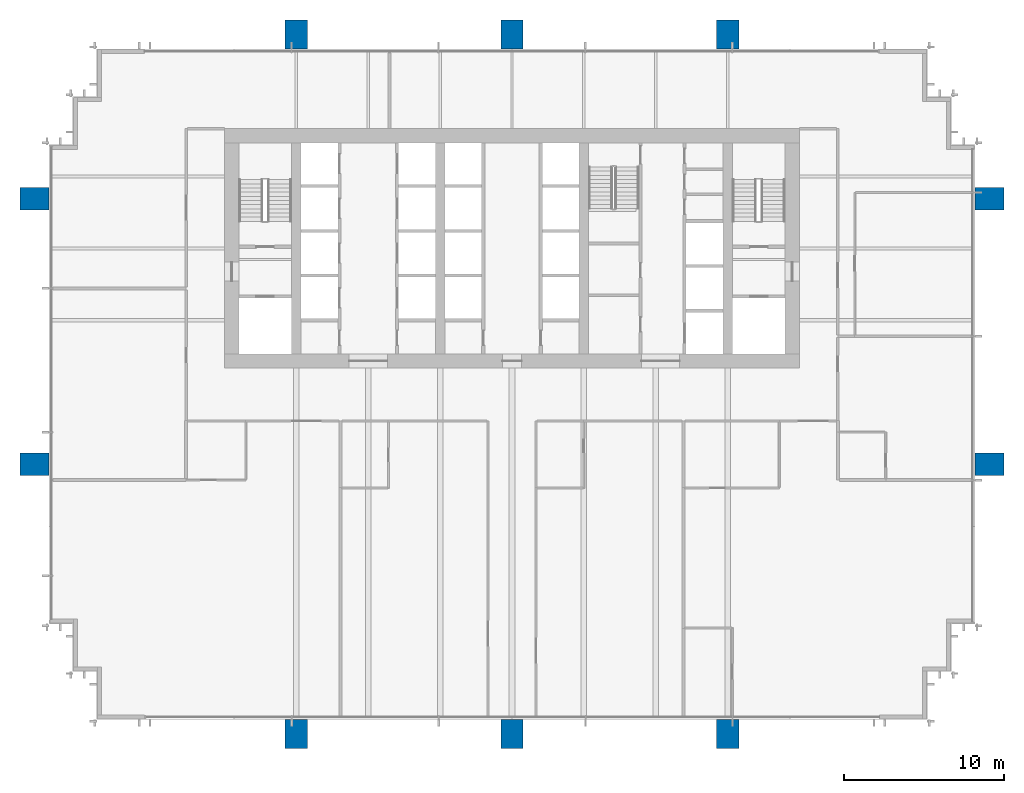
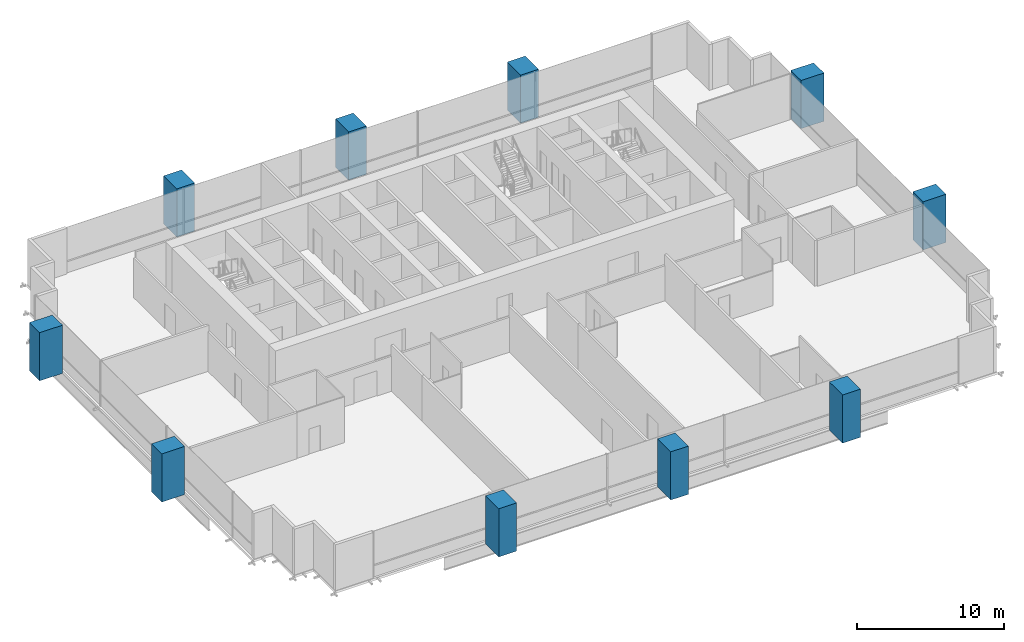
# One storey, part 1 of 14: 10 columns.
"""IFC4 building model written with IfcOpenShell, lengths in metres."""

from ifc_helpers import new_model, si_unit, direction, frame, origin, origin_2d, place, context, subcontext, project, spatial, rectangle, extrude, material, material_profile, profile_set, type_object, element, save


model = new_model("IFC4")

# Units and contexts
model_context = context("Model", 3, precision=1e-05, world=origin(), true_north=direction((0.0, 1.0)))
body_context = subcontext(model_context, "Body", "Model", "MODEL_VIEW")
ifc_project = project(units=[si_unit("LENGTHUNIT", "METRE"), si_unit("AREAUNIT", "SQUARE_METRE"), si_unit("VOLUMEUNIT", "CUBIC_METRE"), si_unit("PLANEANGLEUNIT", "RADIAN"), si_unit("MASSUNIT", "GRAM", prefix="KILO")], contexts=[model_context])

# Site, building, storey
site_placement = place(None, origin())
site = spatial("IfcSite", under=ifc_project, at=site_placement, CompositionType="ELEMENT")
building_placement = place(site_placement, origin())
building = spatial("IfcBuilding", under=site, at=building_placement, Name="Rattan Terrace Tower", CompositionType="ELEMENT")
storey_placement = place(building_placement, frame((0.0, 0.0, 154.10009765625)))
storey = spatial("IfcBuildingStorey", under=building, at=storey_placement, Name="L35", CompositionType="ELEMENT", Elevation=154.10009765625)

# Columns
ifc_material = material(Name="Concrete C50/60", Category="concrete")
ifc_material_profile = material_profile(ifc_material, rectangle(XDim=1.39990234375, YDim=1.800048828125, at=origin_2d()), Name="CFT 1800x1400")
ifc_profile_set = profile_set([ifc_material_profile], Name="Concrete C50/60")
column_type = type_object("IfcColumnType", Name="Frame exoskeleton column CFT 1800x1400", PredefinedType="COLUMN", material=ifc_profile_set)
for number, where, z_axis, x_axis, name in (
    (1, (-13.5, -30.39990234375, -0.2001953125), (0.0, 0.0, 1.0), (1.0, 0.0, 0.0), "exo-L35-001"),
    (2, (0.0, -30.39990234375, -0.2001953125), (0.0, 0.0, 1.0), (1.0, 0.0, 0.0), "exo-L35-002"),
    (3, (13.5, -30.39990234375, -0.2001953125), (0.0, 0.0, 1.0), (1.0, 0.0, 0.0), "exo-L35-003"),
    (4, (-29.89990234375, -13.5, -0.2001953125), (0.0, 0.0, 1.0), (0.0, 1.0, 0.0), "exo-L35-004"),
    (5, (29.89990234375, -13.5, -0.2001953125), (0.0, 0.0, 1.0), (0.0, 1.0, 0.0), "exo-L35-005"),
    (6, (-29.89990234375, 3.10009765625, -0.2001953125), (0.0, 0.0, 1.0), (0.0, 1.0, 0.0), "exo-L35-006"),
    (7, (29.89990234375, 3.10009765625, -0.2001953125), (0.0, 0.0, 1.0), (0.0, 1.0, 0.0), "exo-L35-007"),
    (8, (-13.5, 13.39990234375, -0.2001953125), (0.0, 0.0, 1.0), (1.0, 0.0, 0.0), "exo-L35-008"),
    (9, (0.0, 13.39990234375, -0.2001953125), (0.0, 0.0, 1.0), (1.0, 0.0, 0.0), "exo-L35-009"),
    (10, (13.5, 13.39990234375, -0.2001953125), (0.0, 0.0, 1.0), (1.0, 0.0, 0.0), "exo-L35-010"),
):
    element("IfcColumn", number, at=place(storey_placement, frame(where, z_axis=z_axis, x_axis=x_axis)), inside=storey, type_object=column_type, Name=name, PredefinedType="COLUMN", context=body_context, shape_type="SweptSolid", body=[
        extrude(rectangle(XDim=1.39990234375, YDim=1.800048828125, at=origin_2d()), origin(), (0.0, 0.0, 1.0), 4.0),
    ])

save(model, "model.ifc")
